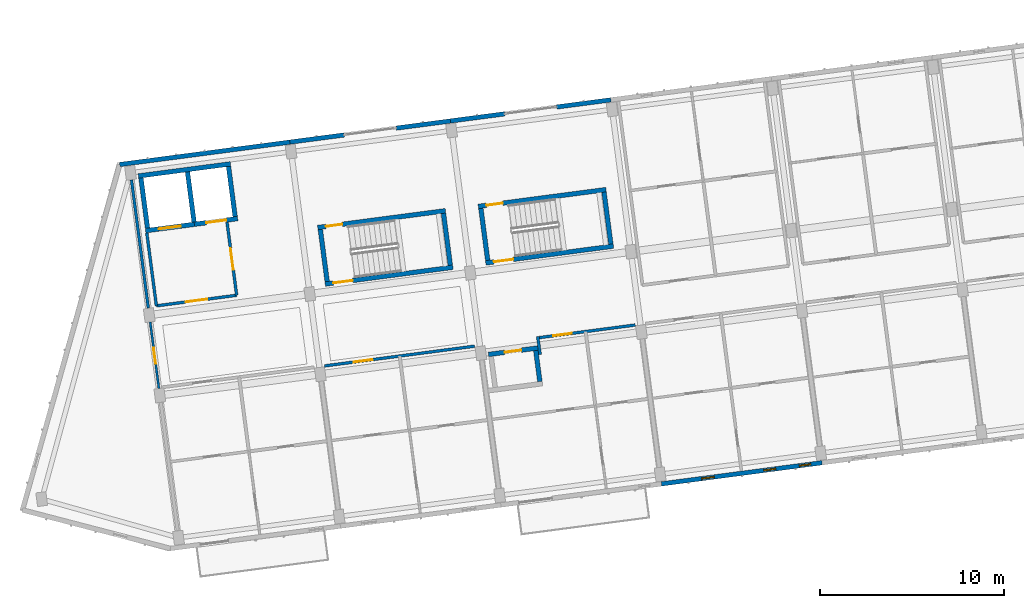
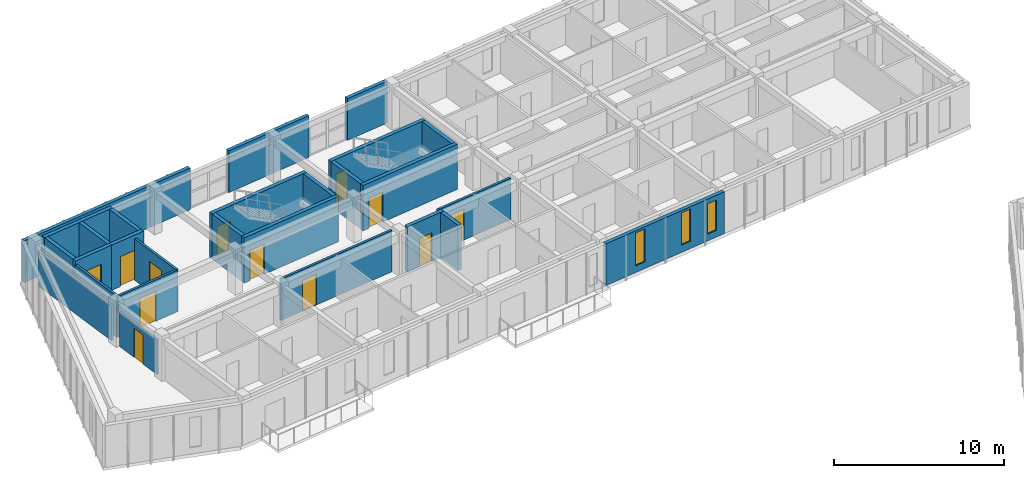
# One storey, part 22 of 66: 30 walls, 12 doors, 3 windows, 15 openings.
"""IFC4 building model written with IfcOpenShell, lengths in metres."""

from ifc_helpers import new_model, si_unit, direction, frame, frame_2d, origin, place, context, subcontext, project, spatial, rectangle, extrude, material, layer, layer_set, type_object, element, fill, save


model = new_model("IFC4")

# Units and contexts
model_context = context("Model", 3, precision=1e-05, world=origin(), true_north=direction((0.0, 1.0)))
body_context = subcontext(model_context, "Body", "Model", "MODEL_VIEW")
ifc_project = project(units=[si_unit("LENGTHUNIT", "METRE"), si_unit("AREAUNIT", "SQUARE_METRE"), si_unit("VOLUMEUNIT", "CUBIC_METRE"), si_unit("PLANEANGLEUNIT", "RADIAN"), si_unit("MASSUNIT", "GRAM", prefix="KILO")], contexts=[model_context])

# Site, building, storey
site_placement = place(None, origin())
site = spatial("IfcSite", under=ifc_project, at=site_placement, CompositionType="ELEMENT")
building_placement = place(site_placement, origin())
building = spatial("IfcBuilding", under=site, at=building_placement, Name="Kestramere Prow Commons", CompositionType="ELEMENT")
storey_placement = place(building_placement, frame((0.0, 0.0, 14.89990234375)))
storey = spatial("IfcBuildingStorey", under=building, at=storey_placement, Name="L04", CompositionType="ELEMENT", Elevation=14.89990234375)

# Wall, openings, windows
ifc_material_1 = material(Name="Fluoropolymer Standing-Seam Zinc-Aluminium Cladding", Category="aluminium")
ifc_layer_1 = layer(ifc_material_1, 0.239990234375)
ifc_layer_set_1 = layer_set([ifc_layer_1], Name="Fluoropolymer Standing-Seam Zinc-Aluminium Cladding")
wall_type_1 = type_object("IfcWallType", Name="EW-SEAM-240", PredefinedType="SOLIDWALL", material=ifc_layer_set_1)
wall_1_placement = place(storey_placement, frame((46.16748046875, 76.073974609375, 0.0), z_axis=(0.0, 0.0, 1.0), x_axis=(-0.991444377792, -0.130529865336, 0.0)))
wall_1 = element("IfcWall", 1, at=wall_1_placement, inside=storey, type_object=wall_type_1, Name="Block A L04 South Standing-Seam Wall 4", PredefinedType="SOLIDWALL", context=body_context, shape_type="SweptSolid", body=[
    extrude(rectangle(XDim=8.800048828125, YDim=0.239990234375, at=frame_2d((4.39990234375, 0.0))), origin(), (0.0, 0.0, 1.0), 3.0),
])
opening_1_placement = place(wall_1_placement, frame((0.610107421875, 0.0, 0.47998046875)))
opening_1 = element("IfcOpeningElement", 2, at=opening_1_placement, cuts=wall_1, Name="Opening WN-04", PredefinedType="OPENING", context=body_context, shape_type="SweptSolid", body=[
    extrude(rectangle(XDim=0.639892578125, YDim=2.179931640625, at=frame_2d((0.31982421875, 1.08984375))), frame((0.0, 0.135009765625, 0.0), z_axis=(0.0, -1.0, 0.0), x_axis=(1.0, 0.0, 0.0)), (0.0, 0.0, 1.0), 0.27001953125),
])
opening_2_placement = place(wall_1_placement, frame((2.535888671875, 0.0, 0.52001953125)))
opening_2 = element("IfcOpeningElement", 3, at=opening_2_placement, cuts=wall_1, Name="Opening WN-05", PredefinedType="OPENING", context=body_context, shape_type="SweptSolid", body=[
    extrude(rectangle(XDim=0.659912109375, YDim=2.320068359375, at=frame_2d((0.330078125, 1.16015625))), frame((0.0, 0.135009765625, 0.0), z_axis=(0.0, -1.0, 0.0), x_axis=(1.0, 0.0, 0.0)), (0.0, 0.0, 1.0), 0.27001953125),
])
opening_3_placement = place(wall_1_placement, frame((5.905029296875, 0.0, 0.47998046875)))
opening_3 = element("IfcOpeningElement", 4, at=opening_3_placement, cuts=wall_1, Name="Opening WN-07", PredefinedType="OPENING", context=body_context, shape_type="SweptSolid", body=[
    extrude(rectangle(XDim=0.699951171875, YDim=2.360107421875, at=frame_2d((0.35009765625, 1.18017578125))), frame((0.0, 0.135009765625, 0.0), z_axis=(0.0, -1.0, 0.0), x_axis=(1.0, 0.0, 0.0)), (0.0, 0.0, 1.0), 0.27001953125),
])
ifc_material_2 = material(Name="Low-E Laminated Double Glazing", Category="glass")
window_type_1 = type_object("IfcWindowType", Name="WN-NAR-640A", PartitioningType="SINGLE_PANEL", PredefinedType="WINDOW", material=ifc_material_2)
window_1_placement = place(opening_1_placement, origin())
window_1 = element("IfcWindow", 5, at=window_1_placement, inside=storey, type_object=window_type_1, Name="WN-A-L04-S-3-00", OverallHeight=2.179931640625, OverallWidth=0.639892578125, PartitioningType="SINGLE_PANEL", PredefinedType="WINDOW", context=body_context, shape_type="SweptSolid", body=[
    extrude(rectangle(XDim=0.639892578125, YDim=2.179931640625, at=frame_2d((0.31982421875, 1.08984375))), frame((0.0, 0.030029296875, 0.0), z_axis=(0.0, -1.0, 0.0), x_axis=(1.0, 0.0, 0.0)), (0.0, 0.0, 1.0), 0.06005859375),
])
fill(opening_1, window_1)
window_type_2 = type_object("IfcWindowType", Name="WN-NAR-660A", PartitioningType="SINGLE_PANEL", PredefinedType="WINDOW", material=ifc_material_2)
window_2_placement = place(opening_2_placement, origin())
window_2 = element("IfcWindow", 6, at=window_2_placement, inside=storey, type_object=window_type_2, Name="WN-A-L04-S-3-01", OverallHeight=2.320068359375, OverallWidth=0.659912109375, PartitioningType="SINGLE_PANEL", PredefinedType="WINDOW", context=body_context, shape_type="SweptSolid", body=[
    extrude(rectangle(XDim=0.659912109375, YDim=2.320068359375, at=frame_2d((0.330078125, 1.16015625))), frame((0.0, 0.030029296875, 0.0), z_axis=(0.0, -1.0, 0.0), x_axis=(1.0, 0.0, 0.0)), (0.0, 0.0, 1.0), 0.06005859375),
])
fill(opening_2, window_2)
window_type_3 = type_object("IfcWindowType", Name="WN-NAR-700A", PartitioningType="SINGLE_PANEL", PredefinedType="WINDOW", material=ifc_material_2)
window_3_placement = place(opening_3_placement, origin())
window_3 = element("IfcWindow", 7, at=window_3_placement, inside=storey, type_object=window_type_3, Name="WN-A-L04-S-3-10", OverallHeight=2.360107421875, OverallWidth=0.699951171875, PartitioningType="SINGLE_PANEL", PredefinedType="WINDOW", context=body_context, shape_type="SweptSolid", body=[
    extrude(rectangle(XDim=0.699951171875, YDim=2.360107421875, at=frame_2d((0.35009765625, 1.18017578125))), frame((0.0, 0.030029296875, 0.0), z_axis=(0.0, -1.0, 0.0), x_axis=(1.0, 0.0, 0.0)), (0.0, 0.0, 1.0), 0.06005859375),
])
fill(opening_3, window_3)

# Walls
wall_2_placement = place(storey_placement, frame((8.00048828125, 92.28076171875, 0.0), z_axis=(0.0, 0.0, 1.0), x_axis=(0.991442885224, 0.130541201693, 0.0)))
element("IfcWall", 8, at=wall_2_placement, inside=storey, type_object=wall_type_1, Name="Block A L04 North Standing-Seam Wall 1", PredefinedType="SOLIDWALL", context=body_context, shape_type="SweptSolid", body=[
    extrude(rectangle(XDim=9.324951171875, YDim=0.239990234375, at=frame_2d((4.66259765625, 0.0))), origin(), (0.0, 0.0, 1.0), 3.0),
])
for number, where, z_axis, x_axis, name in (
    (9, (17.24560546875, 93.498046875, 0.0), (0.0, 0.0, 1.0), (0.991451502252, 0.130475739826, 0.0), "Block A L04 North Standing-Seam Pier 2L"),
    (10, (23.020751953125, 94.25830078125, 0.0), (0.0, 0.0, 1.0), (0.991440883744, 0.130556401758, 0.0), "Block A L04 North Standing-Seam Pier 2R"),
):
    element("IfcWall", number, at=place(storey_placement, frame(where, z_axis=z_axis, x_axis=x_axis)), inside=storey, type_object=wall_type_1, Name=name, PredefinedType="SOLIDWALL", context=body_context, shape_type="SweptSolid", body=[
        extrude(rectangle(XDim=2.97509765625, YDim=0.239990234375, at=frame_2d((1.487548828125, 0.0))), origin(), (0.0, 0.0, 1.0), 3.0),
    ])
for number, where, z_axis, x_axis, name in (
    (11, (25.970458984375, 94.646728515625, 0.0), (0.0, 0.0, 1.0), (0.991450105095, 0.130486356022, 0.0), "Block A L04 North Standing-Seam Pier 3L"),
    (12, (31.74560546875, 95.406982421875, 0.0), (0.0, 0.0, 1.0), (0.991439484875, 0.130567024289, 0.0), "Block A L04 North Standing-Seam Pier 3R"),
):
    element("IfcWall", number, at=place(storey_placement, frame(where, z_axis=z_axis, x_axis=x_axis)), inside=storey, type_object=wall_type_1, Name=name, PredefinedType="SOLIDWALL", context=body_context, shape_type="SweptSolid", body=[
        extrude(rectangle(XDim=2.974853515625, YDim=0.239990234375, at=frame_2d((1.4873046875, 0.0))), origin(), (0.0, 0.0, 1.0), 3.0),
    ])
ifc_material_3 = material(Name="Concrete C40/50", Category="concrete")
ifc_layer_2 = layer(ifc_material_3, 0.25)
ifc_layer_set_2 = layer_set([ifc_layer_2], Name="Concrete C40/50")
wall_type_2 = type_object("IfcWallType", Name="W-CORE-250", PredefinedType="SHEAR", material=ifc_layer_set_2)
wall_3_placement = place(storey_placement, frame((9.015380859375, 91.657958984375, 0.0), z_axis=(0.0, 0.0, 1.0), x_axis=(0.991444419808, 0.130529546201, 0.0)))
element("IfcWall", 13, at=wall_3_placement, inside=storey, type_object=wall_type_2, Name="Block A L04 Lift Core Back Wall", PredefinedType="SHEAR", context=body_context, shape_type="SweptSolid", body=[
    extrude(rectangle(XDim=5.050048828125, YDim=0.25, at=frame_2d((2.52490234375, 0.0))), origin(), (0.0, 0.0, 1.0), 3.25),
])

# Wall, opening, door
wall_4_placement = place(storey_placement, frame((9.406982421875, 88.68359375, 0.0), z_axis=(0.0, 0.0, 1.0), x_axis=(0.991434713833, 0.130603247307, 0.0)))
wall_4 = element("IfcWall", 14, at=wall_4_placement, inside=storey, type_object=wall_type_2, Name="Block A L04 Fire Lift Shaft Front Wall", PredefinedType="SHEAR", context=body_context, shape_type="SweptSolid", body=[
    extrude(rectangle(XDim=2.675048828125, YDim=0.25, at=frame_2d((1.33740234375, 0.0))), origin(), (0.0, 0.0, 1.0), 3.25),
])
opening_4_placement = place(wall_4_placement, frame((0.719970703125, 0.0, 0.0)))
opening_4 = element("IfcOpeningElement", 15, at=opening_4_placement, cuts=wall_4, Name="Opening LD-02", PredefinedType="OPENING", context=body_context, shape_type="SweptSolid", body=[
    extrude(rectangle(XDim=1.199951171875, YDim=2.199951171875, at=frame_2d((0.60009765625, 1.10009765625))), frame((0.0, 0.139892578125, 0.0), z_axis=(0.0, -1.0, 0.0), x_axis=(1.0, 0.0, 0.0)), (0.0, 0.0, 1.0), 0.280029296875),
])
ifc_material_4 = material(Name="Brushed Stainless Steel 316", Category="steel")
door_type_1 = type_object("IfcDoorType", Name="LD-02", OperationType="DOUBLE_DOOR_SLIDING", PredefinedType="DOOR", material=ifc_material_4)
door_1_placement = place(opening_4_placement, origin())
door_1 = element("IfcDoor", 16, at=door_1_placement, inside=storey, type_object=door_type_1, Name="FL-A1 L04 Lift Landing Door", OperationType="DOUBLE_DOOR_SLIDING", OverallHeight=2.199951171875, OverallWidth=1.199951171875, PredefinedType="DOOR", context=body_context, shape_type="SweptSolid", body=[
    extrude(rectangle(XDim=1.199951171875, YDim=2.199951171875, at=frame_2d((0.60009765625, 1.10009765625))), frame((0.0, 0.02490234375, 0.0), z_axis=(0.0, -1.0, 0.0), x_axis=(1.0, 0.0, 0.0)), (0.0, 0.0, 1.0), 0.050048828125),
])
fill(opening_4, door_1)

wall_5_placement = place(storey_placement, frame((12.05908203125, 89.032958984375, 0.0), z_axis=(0.0, 0.0, 1.0), x_axis=(0.99145534515, 0.130446535303, 0.0)))
wall_5 = element("IfcWall", 17, at=wall_5_placement, inside=storey, type_object=wall_type_2, Name="Block A L04 Passenger Lift Shaft Front Wall", PredefinedType="SHEAR", context=body_context, shape_type="SweptSolid", body=[
    extrude(rectangle(XDim=2.375, YDim=0.25, at=frame_2d((1.1875, 0.0))), origin(), (0.0, 0.0, 1.0), 3.25),
])
opening_5_placement = place(wall_5_placement, frame((0.64990234375, 0.0, 0.0)))
opening_5 = element("IfcOpeningElement", 18, at=opening_5_placement, cuts=wall_5, Name="Opening LD-01", PredefinedType="OPENING", context=body_context, shape_type="SweptSolid", body=[
    extrude(rectangle(XDim=1.10009765625, YDim=2.14990234375, at=frame_2d((0.550048828125, 1.074951171875))), frame((0.0, 0.139892578125, 0.0), z_axis=(0.0, -1.0, 0.0), x_axis=(1.0, 0.0, 0.0)), (0.0, 0.0, 1.0), 0.280029296875),
])
ifc_material_5 = material(Name="Brushed Stainless Steel 304", Category="steel")
door_type_2 = type_object("IfcDoorType", Name="LD-01", OperationType="DOUBLE_DOOR_SLIDING", PredefinedType="DOOR", material=ifc_material_5)
door_2_placement = place(opening_5_placement, origin())
door_2 = element("IfcDoor", 19, at=door_2_placement, inside=storey, type_object=door_type_2, Name="PL-A2 L04 Lift Landing Door", OperationType="DOUBLE_DOOR_SLIDING", OverallHeight=2.14990234375, OverallWidth=1.10009765625, PredefinedType="DOOR", context=body_context, shape_type="SweptSolid", body=[
    extrude(rectangle(XDim=1.10009765625, YDim=2.14990234375, at=frame_2d((0.550048828125, 1.074951171875))), frame((0.0, 0.02490234375, 0.0), z_axis=(0.0, -1.0, 0.0), x_axis=(1.0, 0.0, 0.0)), (0.0, 0.0, 1.0), 0.050048828125),
])
fill(opening_5, door_2)

# Walls
for number, where, z_axis, x_axis, name in (
    (20, (9.5146484375, 88.823974609375, 0.0), (0.0, 0.0, 1.0), (-0.130500441374, 0.991448251197, 0.0), "Block A L04 Lift Core Side Wall L"),
    (21, (12.042724609375, 89.15673828125, 0.0), (0.0, 0.0, 1.0), (-0.130500441374, 0.991448251197, 0.0), "Block A L04 Lift Core Side Wall M"),
    (22, (14.2734375, 89.450439453125, 0.0), (0.0, 0.0, 1.0), (-0.130500441374, 0.991448251197, 0.0), "Block A L04 Lift Core Side Wall R"),
):
    element("IfcWall", number, at=place(storey_placement, frame(where, z_axis=z_axis, x_axis=x_axis)), inside=storey, type_object=wall_type_2, Name=name, PredefinedType="SHEAR", context=body_context, shape_type="SweptSolid", body=[
        extrude(rectangle(XDim=2.75, YDim=0.25, at=frame_2d((1.375, 0.0))), origin(), (0.0, 0.0, 1.0), 3.25),
    ])

# Wall, opening, door
wall_6_placement = place(storey_placement, frame((18.764404296875, 88.856689453125, 0.0), z_axis=(0.0, 0.0, 1.0), x_axis=(0.991447052715, 0.13050954625, 0.0)))
wall_6 = element("IfcWall", 23, at=wall_6_placement, inside=storey, type_object=wall_type_2, Name="ST-A1 L04 North Shaft Wall", PredefinedType="SHEAR", context=body_context, shape_type="SweptSolid", body=[
    extrude(rectangle(XDim=7.0, YDim=0.25, at=frame_2d((3.5, 0.0))), origin(), (0.0, 0.0, 1.0), 3.25),
])
opening_6_placement = place(wall_6_placement, frame((0.449951171875, 0.0, 0.0)))
opening_6 = element("IfcOpeningElement", 24, at=opening_6_placement, cuts=wall_6, Name="Opening ID-08", PredefinedType="OPENING", context=body_context, shape_type="SweptSolid", body=[
    extrude(rectangle(XDim=0.89990234375, YDim=2.10009765625, at=frame_2d((0.449951171875, 1.050048828125))), frame((0.0, 0.139892578125, 0.0), z_axis=(0.0, -1.0, 0.0), x_axis=(1.0, 0.0, 0.0)), (0.0, 0.0, 1.0), 0.280029296875),
])
ifc_material_6 = material(Name="Engineered Timber Flush Door", Category="wood")
door_type_3 = type_object("IfcDoorType", Name="D-RM-01", OperationType="NOTDEFINED", PredefinedType="DOOR", material=ifc_material_6)
door_3_placement = place(opening_6_placement, origin())
door_3 = element("IfcDoor", 25, at=door_3_placement, inside=storey, type_object=door_type_3, Name="ST-A1 L04 North Room Door", OperationType="SINGLE_SWING_RIGHT", OverallHeight=2.10009765625, OverallWidth=0.89990234375, PredefinedType="DOOR", context=body_context, shape_type="SweptSolid", body=[
    extrude(rectangle(XDim=0.89990234375, YDim=2.10009765625, at=frame_2d((0.449951171875, 1.050048828125))), frame((0.0, 0.02490234375, 0.0), z_axis=(0.0, -1.0, 0.0), x_axis=(1.0, 0.0, 0.0)), (0.0, 0.0, 1.0), 0.050048828125),
])
fill(opening_6, door_3)

wall_7_placement = place(storey_placement, frame((19.169189453125, 85.783203125, 0.0), z_axis=(0.0, 0.0, 1.0), x_axis=(0.991446458634, 0.130514059249, 0.0)))
wall_7 = element("IfcWall", 26, at=wall_7_placement, inside=storey, type_object=wall_type_2, Name="ST-A1 L04 Corridor Shaft Wall", PredefinedType="SHEAR", context=body_context, shape_type="SweptSolid", body=[
    extrude(rectangle(XDim=6.999755859375, YDim=0.25, at=frame_2d((3.5, 0.0))), origin(), (0.0, 0.0, 1.0), 3.25),
])
opening_7_placement = place(wall_7_placement, frame((0.449951171875, 0.0, 0.0)))
opening_7 = element("IfcOpeningElement", 27, at=opening_7_placement, cuts=wall_7, Name="Opening ID-01", PredefinedType="OPENING", context=body_context, shape_type="SweptSolid", body=[
    extrude(rectangle(XDim=1.050048828125, YDim=2.14990234375, at=frame_2d((0.52490234375, 1.074951171875))), frame((0.0, 0.139892578125, 0.0), z_axis=(0.0, -1.0, 0.0), x_axis=(1.0, 0.0, 0.0)), (0.0, 0.0, 1.0), 0.280029296875),
])
ifc_material_7 = material(Name="Fire-Rated Timber and Steel Frame", Category="steel")
door_type_4 = type_object("IfcDoorType", Name="FD-ST-01", OperationType="NOTDEFINED", PredefinedType="DOOR", material=ifc_material_7)
door_4_placement = place(opening_7_placement, origin())
door_4 = element("IfcDoor", 28, at=door_4_placement, inside=storey, type_object=door_type_4, Name="ST-A1 L04 Protected Stair Door", OperationType="SINGLE_SWING_LEFT", OverallHeight=2.14990234375, OverallWidth=1.050048828125, PredefinedType="DOOR", context=body_context, shape_type="SweptSolid", body=[
    extrude(rectangle(XDim=1.050048828125, YDim=2.14990234375, at=frame_2d((0.52490234375, 1.074951171875))), frame((0.0, 0.02490234375, 0.0), z_axis=(0.0, -1.0, 0.0), x_axis=(1.0, 0.0, 0.0)), (0.0, 0.0, 1.0), 0.050048828125),
])
fill(opening_7, door_4)

# Walls
for number, where, z_axis, x_axis, name in (
    (29, (19.27685546875, 85.92333984375, 0.0), (0.0, 0.0, 1.0), (-0.130547578832, 0.991442045538, 0.0), "ST-A1 L04 Near Shaft Wall"),
    (30, (25.968994140625, 86.804443359375, 0.0), (0.0, 0.0, 1.0), (-0.130547578832, 0.991442045538, 0.0), "ST-A1 L04 Far Shaft Wall"),
):
    element("IfcWall", number, at=place(storey_placement, frame(where, z_axis=z_axis, x_axis=x_axis)), inside=storey, type_object=wall_type_2, Name=name, PredefinedType="SHEAR", context=body_context, shape_type="SweptSolid", body=[
        extrude(rectangle(XDim=2.85009765625, YDim=0.25, at=frame_2d((1.425048828125, 0.0))), origin(), (0.0, 0.0, 1.0), 3.25),
    ])

# Wall, opening, door
wall_8_placement = place(storey_placement, frame((27.4892578125, 90.005126953125, 0.0), z_axis=(0.0, 0.0, 1.0), x_axis=(0.991441944909, 0.130548343059, 0.0)))
wall_8 = element("IfcWall", 31, at=wall_8_placement, inside=storey, type_object=wall_type_2, Name="ST-A2 L04 North Shaft Wall", PredefinedType="SHEAR", context=body_context, shape_type="SweptSolid", body=[
    extrude(rectangle(XDim=6.999755859375, YDim=0.25, at=frame_2d((3.5, 0.0))), origin(), (0.0, 0.0, 1.0), 3.25),
])
opening_8_placement = place(wall_8_placement, frame((0.449951171875, 0.0, 0.0)))
opening_8 = element("IfcOpeningElement", 32, at=opening_8_placement, cuts=wall_8, Name="Opening ID-08", PredefinedType="OPENING", context=body_context, shape_type="SweptSolid", body=[
    extrude(rectangle(XDim=0.89990234375, YDim=2.10009765625, at=frame_2d((0.449951171875, 1.050048828125))), frame((0.0, 0.139892578125, 0.0), z_axis=(0.0, -1.0, 0.0), x_axis=(1.0, 0.0, 0.0)), (0.0, 0.0, 1.0), 0.280029296875),
])
door_5_placement = place(opening_8_placement, origin())
door_5 = element("IfcDoor", 33, at=door_5_placement, inside=storey, type_object=door_type_3, Name="ST-A2 L04 North Room Door", OperationType="SINGLE_SWING_RIGHT", OverallHeight=2.10009765625, OverallWidth=0.89990234375, PredefinedType="DOOR", context=body_context, shape_type="SweptSolid", body=[
    extrude(rectangle(XDim=0.89990234375, YDim=2.10009765625, at=frame_2d((0.449951171875, 1.050048828125))), frame((0.0, 0.02490234375, 0.0), z_axis=(0.0, -1.0, 0.0), x_axis=(1.0, 0.0, 0.0)), (0.0, 0.0, 1.0), 0.050048828125),
])
fill(opening_8, door_5)

wall_9_placement = place(storey_placement, frame((27.893798828125, 86.931640625, 0.0), z_axis=(0.0, 0.0, 1.0), x_axis=(0.991442539299, 0.130543828916, 0.0)))
wall_9 = element("IfcWall", 34, at=wall_9_placement, inside=storey, type_object=wall_type_2, Name="ST-A2 L04 Corridor Shaft Wall", PredefinedType="SHEAR", context=body_context, shape_type="SweptSolid", body=[
    extrude(rectangle(XDim=7.0, YDim=0.25, at=frame_2d((3.5, 0.0))), origin(), (0.0, 0.0, 1.0), 3.25),
])
opening_9_placement = place(wall_9_placement, frame((0.449951171875, 0.0, 0.0)))
opening_9 = element("IfcOpeningElement", 35, at=opening_9_placement, cuts=wall_9, Name="Opening ID-01", PredefinedType="OPENING", context=body_context, shape_type="SweptSolid", body=[
    extrude(rectangle(XDim=1.050048828125, YDim=2.14990234375, at=frame_2d((0.52490234375, 1.074951171875))), frame((0.0, 0.139892578125, 0.0), z_axis=(0.0, -1.0, 0.0), x_axis=(1.0, 0.0, 0.0)), (0.0, 0.0, 1.0), 0.280029296875),
])
door_6_placement = place(opening_9_placement, origin())
door_6 = element("IfcDoor", 36, at=door_6_placement, inside=storey, type_object=door_type_4, Name="ST-A2 L04 Protected Stair Door", OperationType="SINGLE_SWING_LEFT", OverallHeight=2.14990234375, OverallWidth=1.050048828125, PredefinedType="DOOR", context=body_context, shape_type="SweptSolid", body=[
    extrude(rectangle(XDim=1.050048828125, YDim=2.14990234375, at=frame_2d((0.52490234375, 1.074951171875))), frame((0.0, 0.02490234375, 0.0), z_axis=(0.0, -1.0, 0.0), x_axis=(1.0, 0.0, 0.0)), (0.0, 0.0, 1.0), 0.050048828125),
])
fill(opening_9, door_6)

# Walls
wall_10_placement = place(storey_placement, frame((28.00146484375, 87.072021484375, 0.0), z_axis=(0.0, 0.0, 1.0), x_axis=(-0.130547578832, 0.991442045538, 0.0)))
element("IfcWall", 37, at=wall_10_placement, inside=storey, type_object=wall_type_2, Name="ST-A2 L04 Near Shaft Wall", PredefinedType="SHEAR", context=body_context, shape_type="SweptSolid", body=[
    extrude(rectangle(XDim=2.85009765625, YDim=0.25, at=frame_2d((1.425048828125, 0.0))), origin(), (0.0, 0.0, 1.0), 3.25),
])
wall_11_placement = place(storey_placement, frame((34.693603515625, 87.953125, 0.0), z_axis=(0.0, 0.0, 1.0), x_axis=(-0.130474457355, 0.991451671025, 0.0)))
element("IfcWall", 38, at=wall_11_placement, inside=storey, type_object=wall_type_2, Name="ST-A2 L04 Far Shaft Wall", PredefinedType="SHEAR", context=body_context, shape_type="SweptSolid", body=[
    extrude(rectangle(XDim=2.849853515625, YDim=0.25, at=frame_2d((1.4248046875, 0.0))), origin(), (0.0, 0.0, 1.0), 3.25),
])

# Wall, opening, door
ifc_material_8 = material(Name="Fire-Rated Calcium Silicate Wall")
ifc_layer_3 = layer(ifc_material_8, 0.155029296875)
ifc_layer_set_3 = layer_set([ifc_layer_3], Name="Fire-Rated Calcium Silicate Wall")
wall_type_3 = type_object("IfcWallType", Name="W-FIRE-150", PredefinedType="PARTITIONING", material=ifc_layer_set_3)
wall_12_placement = place(storey_placement, frame((9.994873046875, 84.6005859375, 0.0), z_axis=(0.0, 0.0, 1.0), x_axis=(0.991448440179, 0.130499005613, 0.0)))
wall_12 = element("IfcWall", 39, at=wall_12_placement, inside=storey, type_object=wall_type_3, Name="Interior Partition PW-A-L04-FFL-S", PredefinedType="PARTITIONING", context=body_context, shape_type="SweptSolid", body=[
    extrude(rectangle(XDim=4.400146484375, YDim=0.155029296875, at=frame_2d((2.2001953125, 0.0))), origin(), (0.0, 0.0, 1.0), 2.97021484375),
])
opening_10_placement = place(wall_12_placement, frame((1.60009765625, 0.0, 0.0)))
opening_10 = element("IfcOpeningElement", 40, at=opening_10_placement, cuts=wall_12, Name="Opening ID-03", PredefinedType="OPENING", context=body_context, shape_type="SweptSolid", body=[
    extrude(rectangle(XDim=1.179931640625, YDim=2.14990234375, at=frame_2d((0.58984375, 1.074951171875))), frame((0.0, 0.092529296875, 0.0), z_axis=(0.0, -1.0, 0.0), x_axis=(1.0, 0.0, 0.0)), (0.0, 0.0, 1.0), 0.18505859375),
])
ifc_material_9 = material(Name="Fire-Rated Glazed Smoke-Stop Door")
door_type_5 = type_object("IfcDoorType", Name="FD-LB-01", OperationType="NOTDEFINED", PredefinedType="DOOR", material=ifc_material_9)
door_7_placement = place(opening_10_placement, origin())
door_7 = element("IfcDoor", 41, at=door_7_placement, inside=storey, type_object=door_type_5, Name="Interior Door DR-A-L04-FFL", OperationType="SINGLE_SWING_LEFT", OverallHeight=2.14990234375, OverallWidth=1.179931640625, PredefinedType="DOOR", context=body_context, shape_type="SweptSolid", body=[
    extrude(rectangle(XDim=1.179931640625, YDim=2.14990234375, at=frame_2d((0.58984375, 1.074951171875))), frame((0.0, 0.02490234375, 0.0), z_axis=(0.0, -1.0, 0.0), x_axis=(1.0, 0.0, 0.0)), (0.0, 0.0, 1.0), 0.050048828125),
])
fill(opening_10, door_7)

# Wall
wall_13_placement = place(storey_placement, frame((9.994873046875, 84.6005859375, 0.0), z_axis=(0.0, 0.0, 1.0), x_axis=(-0.130492404742, 0.991449308994, 0.0)))
element("IfcWall", 42, at=wall_13_placement, inside=storey, type_object=wall_type_3, Name="Interior Partition PW-A-L04-FFL-W", PredefinedType="PARTITIONING", context=body_context, shape_type="SweptSolid", body=[
    extrude(rectangle(XDim=4.0, YDim=0.155029296875, at=frame_2d((2.0, 0.0))), origin(), (0.0, 0.0, 1.0), 2.97021484375),
])

# Wall, opening, door
wall_14_placement = place(storey_placement, frame((14.357421875, 85.1748046875, 0.0), z_axis=(0.0, 0.0, 1.0), x_axis=(-0.130552399509, 0.991441410766, 0.0)))
wall_14 = element("IfcWall", 43, at=wall_14_placement, inside=storey, type_object=wall_type_3, Name="Interior Partition PW-A-L04-FFL-E", PredefinedType="PARTITIONING", context=body_context, shape_type="SweptSolid", body=[
    extrude(rectangle(XDim=4.0, YDim=0.155029296875, at=frame_2d((2.0, 0.0))), origin(), (0.0, 0.0, 1.0), 2.97021484375),
])
opening_11_placement = place(wall_14_placement, frame((1.39990234375, 0.0, 0.0)))
opening_11 = element("IfcOpeningElement", 44, at=opening_11_placement, cuts=wall_14, Name="Opening ID-03", PredefinedType="OPENING", context=body_context, shape_type="SweptSolid", body=[
    extrude(rectangle(XDim=1.179931640625, YDim=2.14990234375, at=frame_2d((0.58984375, 1.074951171875))), frame((0.0, 0.092529296875, 0.0), z_axis=(0.0, -1.0, 0.0), x_axis=(1.0, 0.0, 0.0)), (0.0, 0.0, 1.0), 0.18505859375),
])
door_8_placement = place(opening_11_placement, origin())
door_8 = element("IfcDoor", 45, at=door_8_placement, inside=storey, type_object=door_type_5, Name="Interior Door DR-A-L04-FFL-PL", OperationType="SINGLE_SWING_LEFT", OverallHeight=2.14990234375, OverallWidth=1.179931640625, PredefinedType="DOOR", context=body_context, shape_type="SweptSolid", body=[
    extrude(rectangle(XDim=1.179931640625, YDim=2.14990234375, at=frame_2d((0.58984375, 1.074951171875))), frame((0.0, 0.02490234375, 0.0), z_axis=(0.0, -1.0, 0.0), x_axis=(1.0, 0.0, 0.0)), (0.0, 0.0, 1.0), 0.050048828125),
])
fill(opening_11, door_8)

wall_15_placement = place(storey_placement, frame((19.13427734375, 81.33544921875, 0.0), z_axis=(0.0, 0.0, 1.0), x_axis=(0.991445206002, 0.130523574484, 0.0)))
wall_15 = element("IfcWall", 46, at=wall_15_placement, inside=storey, type_object=wall_type_3, Name="Interior Partition PW-A-L04-CS-1", PredefinedType="PARTITIONING", context=body_context, shape_type="SweptSolid", body=[
    extrude(rectangle(XDim=8.22998046875, YDim=0.155029296875, at=frame_2d((4.114990234375, 0.0))), origin(), (0.0, 0.0, 1.0), 2.97021484375),
])
opening_12_placement = place(wall_15_placement, frame((1.60498046875, 0.0, 0.0)))
opening_12 = element("IfcOpeningElement", 47, at=opening_12_placement, cuts=wall_15, Name="Opening ID-05", PredefinedType="OPENING", context=body_context, shape_type="SweptSolid", body=[
    extrude(rectangle(XDim=1.02001953125, YDim=2.199951171875, at=frame_2d((0.510009765625, 1.10009765625))), frame((0.0, 0.092529296875, 0.0), z_axis=(0.0, -1.0, 0.0), x_axis=(1.0, 0.0, 0.0)), (0.0, 0.0, 1.0), 0.18505859375),
])
ifc_material_10 = material(Name="Hardwood Fire-Rated Flat Entrance Door", Category="wood")
door_type_6 = type_object("IfcDoorType", Name="FD-ENT-02", OperationType="NOTDEFINED", PredefinedType="DOOR", material=ifc_material_10)
door_9_placement = place(opening_12_placement, origin())
door_9 = element("IfcDoor", 48, at=door_9_placement, inside=storey, type_object=door_type_6, Name="Interior Door DR-A-L04-ENT-S1", OperationType="SINGLE_SWING_RIGHT", OverallHeight=2.199951171875, OverallWidth=1.02001953125, PredefinedType="DOOR", context=body_context, shape_type="SweptSolid", body=[
    extrude(rectangle(XDim=1.02001953125, YDim=2.199951171875, at=frame_2d((0.510009765625, 1.10009765625))), frame((0.0, 0.02490234375, 0.0), z_axis=(0.0, -1.0, 0.0), x_axis=(1.0, 0.0, 0.0)), (0.0, 0.0, 1.0), 0.050048828125),
])
fill(opening_12, door_9)

# Wall
wall_16_placement = place(storey_placement, frame((30.849365234375, 81.949951171875, 0.0), z_axis=(0.0, 0.0, 1.0), x_axis=(-0.13055608231, 0.99144092581, 0.0)))
element("IfcWall", 49, at=wall_16_placement, inside=storey, type_object=wall_type_3, Name="Interior Partition PW-A-L04-HS-CLOSER", PredefinedType="PARTITIONING", context=body_context, shape_type="SweptSolid", body=[
    extrude(rectangle(XDim=0.994873046875, YDim=0.155029296875, at=frame_2d((0.49755859375, 0.0))), origin(), (0.0, 0.0, 1.0), 2.97021484375),
])

# Wall, opening, door
wall_17_placement = place(storey_placement, frame((30.80859375, 82.87255859375, 0.0), z_axis=(0.0, 0.0, 1.0), x_axis=(0.991447652655, 0.130504988581, 0.0)))
wall_17 = element("IfcWall", 50, at=wall_17_placement, inside=storey, type_object=wall_type_3, Name="Interior Partition PW-A-L04-CS-2", PredefinedType="PARTITIONING", context=body_context, shape_type="SweptSolid", body=[
    extrude(rectangle(XDim=5.2548828125, YDim=0.155029296875, at=frame_2d((2.62744140625, 0.0))), origin(), (0.0, 0.0, 1.0), 2.97021484375),
])
opening_13_placement = place(wall_17_placement, frame((0.758056640625, 0.0, 0.0)))
opening_13 = element("IfcOpeningElement", 51, at=opening_13_placement, cuts=wall_17, Name="Opening ID-05", PredefinedType="OPENING", context=body_context, shape_type="SweptSolid", body=[
    extrude(rectangle(XDim=1.02001953125, YDim=2.199951171875, at=frame_2d((0.510009765625, 1.10009765625))), frame((0.0, 0.092529296875, 0.0), z_axis=(0.0, -1.0, 0.0), x_axis=(1.0, 0.0, 0.0)), (0.0, 0.0, 1.0), 0.18505859375),
])
door_10_placement = place(opening_13_placement, origin())
door_10 = element("IfcDoor", 52, at=door_10_placement, inside=storey, type_object=door_type_6, Name="Interior Door DR-A-L04-ENT-S2", OperationType="SINGLE_SWING_LEFT", OverallHeight=2.199951171875, OverallWidth=1.02001953125, PredefinedType="DOOR", context=body_context, shape_type="SweptSolid", body=[
    extrude(rectangle(XDim=1.02001953125, YDim=2.199951171875, at=frame_2d((0.510009765625, 1.10009765625))), frame((0.0, 0.02490234375, 0.0), z_axis=(0.0, -1.0, 0.0), x_axis=(1.0, 0.0, 0.0)), (0.0, 0.0, 1.0), 0.050048828125),
])
fill(opening_13, door_10)

ifc_layer_4 = layer(ifc_material_3, 0.25)
ifc_layer_set_4 = layer_set([ifc_layer_4], Name="Concrete C40/50")
wall_type_4 = type_object("IfcWallType", Name="W-HS-250", PredefinedType="SHEAR", material=ifc_layer_set_4)
wall_18_placement = place(storey_placement, frame((28.044189453125, 81.958740234375, 0.0), z_axis=(0.0, 0.0, 1.0), x_axis=(0.991439824936, 0.130564442062, 0.0)))
wall_18 = element("IfcWall", 53, at=wall_18_placement, inside=storey, type_object=wall_type_4, Name="Block A L04 Household Shelter North Wall", PredefinedType="SHEAR", context=body_context, shape_type="SweptSolid", body=[
    extrude(rectangle(XDim=2.7001953125, YDim=0.25, at=frame_2d((1.35009765625, 0.0))), origin(), (0.0, 0.0, 1.0), 3.25),
])
opening_14_placement = place(wall_18_placement, frame((0.89990234375, 0.0, 0.0)))
opening_14 = element("IfcOpeningElement", 54, at=opening_14_placement, cuts=wall_18, Name="Opening ID-06", PredefinedType="OPENING", context=body_context, shape_type="SweptSolid", body=[
    extrude(rectangle(XDim=0.89990234375, YDim=2.050048828125, at=frame_2d((0.449951171875, 1.02490234375))), frame((0.0, 0.139892578125, 0.0), z_axis=(0.0, -1.0, 0.0), x_axis=(1.0, 0.0, 0.0)), (0.0, 0.0, 1.0), 0.280029296875),
])
ifc_material_11 = material(Name="Galvanised Steel S275JR Household Shelter Door", Category="steel")
door_type_7 = type_object("IfcDoorType", Name="FD-HS-01", OperationType="NOTDEFINED", PredefinedType="DOOR", material=ifc_material_11)
door_11_placement = place(opening_14_placement, origin())
door_11 = element("IfcDoor", 55, at=door_11_placement, inside=storey, type_object=door_type_7, Name="Block A L04 Household Shelter Blast Door", OperationType="SINGLE_SWING_RIGHT", OverallHeight=2.050048828125, OverallWidth=0.89990234375, PredefinedType="DOOR", context=body_context, shape_type="SweptSolid", body=[
    extrude(rectangle(XDim=0.89990234375, YDim=2.050048828125, at=frame_2d((0.449951171875, 1.02490234375))), frame((0.0, 0.02490234375, 0.0), z_axis=(0.0, -1.0, 0.0), x_axis=(1.0, 0.0, 0.0)), (0.0, 0.0, 1.0), 0.050048828125),
])
fill(opening_14, door_11)

# Wall
wall_19_placement = place(storey_placement, frame((30.83544921875, 80.485595703125, 0.0), z_axis=(0.0, 0.0, 1.0), x_axis=(-0.1305548243, 0.991441091468, 0.0)))
element("IfcWall", 56, at=wall_19_placement, inside=storey, type_object=wall_type_4, Name="Block A L04 Household Shelter E Wall", PredefinedType="SHEAR", context=body_context, shape_type="SweptSolid", body=[
    extrude(rectangle(XDim=1.699951171875, YDim=0.25, at=frame_2d((0.85009765625, 0.0))), origin(), (0.0, 0.0, 1.0), 3.25),
])

# Wall, opening, door
ifc_material_12 = material(Name="Lightweight Blockwork and Plaster", Category="masonry")
ifc_layer_5 = layer(ifc_material_12, 0.1201171875)
ifc_layer_set_5 = layer_set([ifc_layer_5], Name="Lightweight Blockwork and Plaster")
wall_type_5 = type_object("IfcWallType", Name="W-PART-120", PredefinedType="PARTITIONING", material=ifc_layer_set_5)
wall_20_placement = place(storey_placement, frame((10.131591796875, 80.114990234375, 0.0), z_axis=(0.0, 0.0, 1.0), x_axis=(-0.130546722025, 0.991442158357, 0.0)))
wall_20 = element("IfcWall", 57, at=wall_20_placement, inside=storey, type_object=wall_type_5, Name="Interior Partition PW-A-L04-PROW-ACC", PredefinedType="PARTITIONING", context=body_context, shape_type="SweptSolid", body=[
    extrude(rectangle(XDim=3.6298828125, YDim=0.1201171875, at=frame_2d((1.81494140625, 0.0))), origin(), (0.0, 0.0, 1.0), 2.5),
])
opening_15_placement = place(wall_20_placement, frame((1.35009765625, 0.0, 0.0)))
opening_15 = element("IfcOpeningElement", 58, at=opening_15_placement, cuts=wall_20, Name="Opening ID-10", PredefinedType="OPENING", context=body_context, shape_type="SweptSolid", body=[
    extrude(rectangle(XDim=0.8798828125, YDim=2.10009765625, at=frame_2d((0.43994140625, 1.050048828125))), frame((0.0, 0.074951171875, 0.0), z_axis=(0.0, -1.0, 0.0), x_axis=(1.0, 0.0, 0.0)), (0.0, 0.0, 1.0), 0.150146484375),
])
ifc_material_13 = material(Name="Engineered Timber Bedroom Door", Category="wood")
door_type_8 = type_object("IfcDoorType", Name="D-RM-03", OperationType="NOTDEFINED", PredefinedType="DOOR", material=ifc_material_13)
door_12_placement = place(opening_15_placement, origin())
door_12 = element("IfcDoor", 59, at=door_12_placement, inside=storey, type_object=door_type_8, Name="Interior Door DR-A-L04-PROW", OperationType="SINGLE_SWING_LEFT", OverallHeight=2.10009765625, OverallWidth=0.8798828125, PredefinedType="DOOR", context=body_context, shape_type="SweptSolid", body=[
    extrude(rectangle(XDim=0.8798828125, YDim=2.10009765625, at=frame_2d((0.43994140625, 1.050048828125))), frame((0.0, 0.02490234375, 0.0), z_axis=(0.0, -1.0, 0.0), x_axis=(1.0, 0.0, 0.0)), (0.0, 0.0, 1.0), 0.050048828125),
])
fill(opening_15, door_12)

# Wall
ifc_material_14 = material(Name="Masonry Compartment Wall", Category="masonry")
ifc_layer_6 = layer(ifc_material_14, 0.14990234375)
ifc_layer_set_6 = layer_set([ifc_layer_6], Name="Masonry Compartment Wall")
wall_type_6 = type_object("IfcWallType", Name="W-PART-150", PredefinedType="PARTITIONING", material=ifc_layer_set_6)
wall_21_placement = place(storey_placement, frame((9.557373046875, 84.477294921875, 0.0), z_axis=(0.0, 0.0, 1.0), x_axis=(-0.130541650614, 0.991442826115, 0.0)))
element("IfcWall", 60, at=wall_21_placement, inside=storey, type_object=wall_type_6, Name="Interior Partition PW-A-L04-PRW-N", PredefinedType="PARTITIONING", context=body_context, shape_type="SweptSolid", body=[
    extrude(rectangle(XDim=7.030029296875, YDim=0.14990234375, at=frame_2d((3.51513671875, 0.0))), origin(), (0.0, 0.0, 1.0), 2.5),
])

save(model, "model.ifc")
